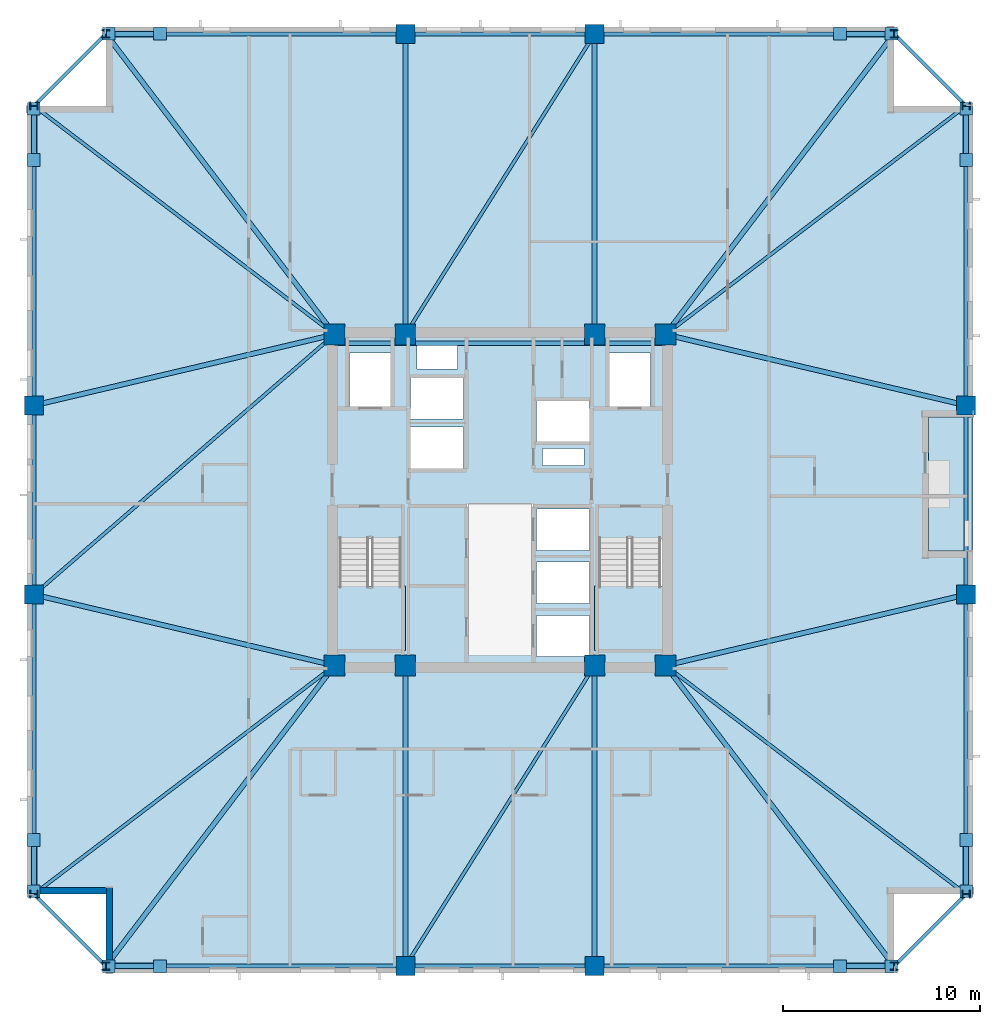
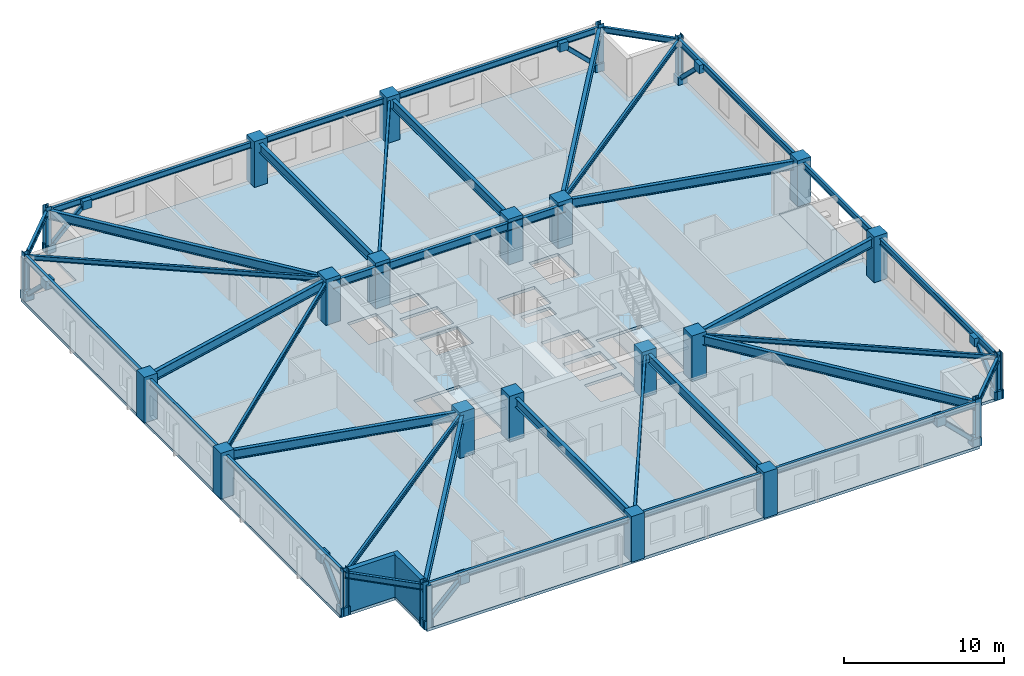
# One storey, part 1 of 11: 38 beams, 24 columns, 16 plates, 8 members, 4 slabs, 2 walls, 2 elements without a shape of their own.
"""IFC4 building model written with IfcOpenShell, lengths in metres."""

from ifc_helpers import new_model, si_unit, direction, frame, frame_2d, origin, origin_2d, place, context, subcontext, project, spatial, polyline, rectangle, hollow_rectangle, i_section, outline, extrude, material, layer, layer_set, material_profile, profile_set, type_object, element, aggregate, save


model = new_model("IFC4")

# Units and contexts
model_context = context("Model", 3, precision=1e-05, world=origin(), true_north=direction((0.0, 1.0)))
body_context = subcontext(model_context, "Body", "Model", "MODEL_VIEW")
ifc_project = project(units=[si_unit("LENGTHUNIT", "METRE"), si_unit("AREAUNIT", "SQUARE_METRE"), si_unit("VOLUMEUNIT", "CUBIC_METRE"), si_unit("PLANEANGLEUNIT", "RADIAN"), si_unit("MASSUNIT", "GRAM", prefix="KILO")], contexts=[model_context])

# Site, building, storey
site_placement = place(None, origin())
site = spatial("IfcSite", under=ifc_project, at=site_placement, CompositionType="ELEMENT")
building_placement = place(site_placement, origin())
building = spatial("IfcBuilding", under=site, at=building_placement, Name="Cairnveth Concourse Tower", CompositionType="ELEMENT")
storey_placement = place(building_placement, frame((0.0, 0.0, 190.0)))
storey = spatial("IfcBuildingStorey", under=building, at=storey_placement, Name="L52", CompositionType="ELEMENT", Elevation=190.0)

# Columns
ifc_material_1 = material(Name="Concrete N65 (65 MPa)", Category="concrete")
ifc_material_profile_1 = material_profile(ifc_material_1, rectangle(XDim=1.050048828125, YDim=1.050048828125, at=origin_2d()), Name="RC-COL-1050x1050")
ifc_profile_set_1 = profile_set([ifc_material_profile_1], Name="Concrete N65 (65 MPa)")
column_type_1 = type_object("IfcColumnType", Name="CORE COLUMN 1050X1050", PredefinedType="COLUMN", material=ifc_profile_set_1)
for number, where, z_axis, x_axis, name in (
    (1, (43.60009765625, 30.60009765625, 0.0), (0.0, 0.0, 1.0), (1.0, 0.0, 0.0), "Column CC1 L52"),
    (2, (47.199951171875, 30.60009765625, 0.0), (0.0, 0.0, 1.0), (1.0, 0.0, 0.0), "Column CC2 L52"),
    (3, (56.800048828125, 30.60009765625, 0.0), (0.0, 0.0, 1.0), (1.0, 0.0, 0.0), "Column CC3 L52"),
    (4, (60.39990234375, 30.60009765625, 0.0), (0.0, 0.0, 1.0), (1.0, 0.0, 0.0), "Column CC4 L52"),
    (5, (43.60009765625, 47.39990234375, 0.0), (0.0, 0.0, 1.0), (1.0, 0.0, 0.0), "Column CC5 L52"),
    (6, (47.199951171875, 47.39990234375, 0.0), (0.0, 0.0, 1.0), (1.0, 0.0, 0.0), "Column CC6 L52"),
    (7, (56.800048828125, 47.39990234375, 0.0), (0.0, 0.0, 1.0), (1.0, 0.0, 0.0), "Column CC7 L52"),
    (8, (60.39990234375, 47.39990234375, 0.0), (0.0, 0.0, 1.0), (1.0, 0.0, 0.0), "Column CC8 L52"),
):
    element("IfcColumn", number, at=place(storey_placement, frame(where, z_axis=z_axis, x_axis=x_axis)), inside=storey, type_object=column_type_1, Name=name, PredefinedType="COLUMN", context=body_context, shape_type="SweptSolid", body=[
        extrude(rectangle(XDim=1.050048828125, YDim=1.050048828125, at=origin_2d()), origin(), (0.0, 0.0, 1.0), 3.5),
    ])
ifc_material_profile_2 = material_profile(ifc_material_1, rectangle(XDim=0.949951171875, YDim=0.949951171875, at=origin_2d()), Name="RC-COL-950x950")
ifc_profile_set_2 = profile_set([ifc_material_profile_2], Name="Concrete N65 (65 MPa)")
column_type_2 = type_object("IfcColumnType", Name="PERIMETER PIER COLUMN 950X950", PredefinedType="COLUMN", material=ifc_profile_set_2)
for number, where, z_axis, x_axis, name in (
    (9, (47.199951171875, 15.35009765625, 0.0), (0.0, 0.0, 1.0), (1.0, 0.0, 0.0), "Column P-S2 L52"),
    (10, (56.800048828125, 15.35009765625, 0.0), (0.0, 0.0, 1.0), (1.0, 0.0, 0.0), "Column P-S3 L52"),
    (11, (75.64990234375, 34.199951171875, 0.0), (0.0, 0.0, 1.0), (0.0, 1.0, 0.0), "Column P-E2 L52"),
    (12, (75.64990234375, 43.800048828125, 0.0), (0.0, 0.0, 1.0), (0.0, 1.0, 0.0), "Column P-E3 L52"),
    (13, (56.800048828125, 62.64990234375, 0.0), (0.0, 0.0, 1.0), (1.0, 0.0, 0.0), "Column P-N2 L52"),
    (14, (47.199951171875, 62.64990234375, 0.0), (0.0, 0.0, 1.0), (1.0, 0.0, 0.0), "Column P-N3 L52"),
    (15, (28.35009765625, 43.800048828125, 0.0), (0.0, 0.0, 1.0), (0.0, 1.0, 0.0), "Column P-W2 L52"),
    (16, (28.35009765625, 34.199951171875, 0.0), (0.0, 0.0, 1.0), (0.0, 1.0, 0.0), "Column P-W3 L52"),
):
    element("IfcColumn", number, at=place(storey_placement, frame(where, z_axis=z_axis, x_axis=x_axis)), inside=storey, type_object=column_type_2, Name=name, PredefinedType="COLUMN", context=body_context, shape_type="SweptSolid", body=[
        extrude(rectangle(XDim=0.949951171875, YDim=0.949951171875, at=origin_2d()), origin(), (0.0, 0.0, 1.0), 3.5),
    ])
ifc_material_2 = material(Name="Steel Grade 350", Category="steel")
ifc_material_profile_3 = material_profile(ifc_material_2, i_section(OverallWidth=0.39990234375, OverallDepth=0.39990234375, WebThickness=0.02197265625, FlangeThickness=0.035888671875, at=origin_2d()), Name="400WC270")
ifc_profile_set_3 = profile_set([ifc_material_profile_3], Name="Steel Grade 350")
column_type_3 = type_object("IfcColumnType", Name="WELDED STEEL COLUMN 400WC270", PredefinedType="COLUMN", material=ifc_profile_set_3)
for number, where, z_axis, x_axis, name in (
    (17, (32.0, 15.35009765625, 0.0), (0.0, 0.0, 1.0), (1.0, 0.0, 0.0), "Column P-S1 L52"),
    (18, (72.0, 15.35009765625, 0.0), (0.0, 0.0, 1.0), (1.0, 0.0, 0.0), "Column P-S4 L52"),
    (19, (75.64990234375, 19.0, 0.0), (0.0, 0.0, 1.0), (0.0, 1.0, 0.0), "Column P-E1 L52"),
    (20, (75.64990234375, 59.0, 0.0), (0.0, 0.0, 1.0), (0.0, 1.0, 0.0), "Column P-E4 L52"),
    (21, (72.0, 62.64990234375, 0.0), (0.0, 0.0, 1.0), (1.0, 0.0, 0.0), "Column P-N1 L52"),
    (22, (32.0, 62.64990234375, 0.0), (0.0, 0.0, 1.0), (1.0, 0.0, 0.0), "Column P-N4 L52"),
    (23, (28.35009765625, 59.0, 0.0), (0.0, 0.0, 1.0), (0.0, 1.0, 0.0), "Column P-W1 L52"),
    (24, (28.35009765625, 19.0, 0.0), (0.0, 0.0, 1.0), (0.0, 1.0, 0.0), "Column P-W4 L52"),
):
    element("IfcColumn", number, at=place(storey_placement, frame(where, z_axis=z_axis, x_axis=x_axis)), inside=storey, type_object=column_type_3, Name=name, PredefinedType="COLUMN", context=body_context, shape_type="SweptSolid", body=[
        extrude(i_section(OverallWidth=0.39990234375, OverallDepth=0.39990234375, WebThickness=0.02197265625, FlangeThickness=0.035888671875, at=origin_2d()), origin(), (0.0, 0.0, 1.0), 3.5),
    ])

# Beams
ifc_material_profile_4 = material_profile(ifc_material_2, i_section(OverallWidth=0.22802734375, OverallDepth=0.60693359375, WebThickness=0.01123046875, FlangeThickness=0.017333984375, FilletRadius=0.013916015625, at=origin_2d()), Name="610UB113")
ifc_profile_set_4 = profile_set([ifc_material_profile_4], Name="Steel Grade 350")
beam_type_1 = type_object("IfcBeamType", Name="CORE TIE BEAM 610UB113", PredefinedType="T_BEAM", material=ifc_profile_set_4)
for number, where, z_axis, x_axis, name in (
    (25, (43.60009765625, 46.949951171875, 2.9365234375), (1.0, 0.0, 0.0), (0.0, 1.0, 0.0), "Beam CT-N1 L52"),
    (26, (56.800048828125, 46.949951171875, 2.9365234375), (1.0, 0.0, 0.0), (0.0, 1.0, 0.0), "Beam CT-N3 L52"),
):
    element("IfcBeam", number, at=place(storey_placement, frame(where, z_axis=z_axis, x_axis=x_axis)), inside=storey, type_object=beam_type_1, Name=name, PredefinedType="T_BEAM", context=body_context, shape_type="SweptSolid", body=[
        extrude(i_section(OverallWidth=0.22802734375, OverallDepth=0.60693359375, WebThickness=0.01123046875, FlangeThickness=0.017333984375, FilletRadius=0.013916015625, at=origin_2d()), origin(), (0.0, 0.0, 1.0), 3.599853515625),
    ])
beam_1_placement = place(storey_placement, frame((47.199951171875, 46.949951171875, 2.9365234375), z_axis=(1.0, 0.0, 0.0), x_axis=(0.0, 1.0, 0.0)))
element("IfcBeam", 27, at=beam_1_placement, inside=storey, type_object=beam_type_1, Name="Beam CT-N2 L52", PredefinedType="T_BEAM", context=body_context, shape_type="SweptSolid", body=[
    extrude(i_section(OverallWidth=0.22802734375, OverallDepth=0.60693359375, WebThickness=0.01123046875, FlangeThickness=0.017333984375, FilletRadius=0.013916015625, at=origin_2d()), origin(), (0.0, 0.0, 1.0), 9.60009765625),
])
ifc_material_profile_5 = material_profile(ifc_material_2, i_section(OverallWidth=0.172119140625, OverallDepth=0.35888671875, WebThickness=0.008056640625, FlangeThickness=0.012939453125, FilletRadius=0.010986328125, at=origin_2d()), Name="360UB56.7")
ifc_profile_set_5 = profile_set([ifc_material_profile_5], Name="Steel Grade 350")
beam_type_2 = type_object("IfcBeamType", Name="ZONE 2 FLOOR JOIST 360UB56.7", PredefinedType="JOIST", material=ifc_profile_set_5)
for number, where, z_axis, x_axis, name in (
    (28, (28.35009765625, 19.0, 3.060546875), (0.795908242904, 0.6054172684, 0.0), (-0.6054172684, 0.795908242904, 0.0), "Beam FJ-CSW2 L52"),
    (29, (75.64990234375, 19.0, 3.060546875), (-0.795908242904, 0.6054172684, 0.0), (-0.6054172684, -0.795908242904, 0.0), "Beam FJ-CSE2 L52"),
    (30, (75.64990234375, 59.0, 3.060546875), (-0.795908242904, -0.6054172684, 0.0), (0.6054172684, -0.795908242904, 0.0), "Beam FJ-CNE2 L52"),
    (31, (28.35009765625, 59.0, 3.060546875), (0.795908242904, -0.6054172684, 0.0), (0.6054172684, 0.795908242904, 0.0), "Beam FJ-CNW2 L52"),
):
    element("IfcBeam", number, at=place(storey_placement, frame(where, z_axis=z_axis, x_axis=x_axis)), inside=storey, type_object=beam_type_2, Name=name, PredefinedType="JOIST", context=body_context, shape_type="SweptSolid", body=[
        extrude(i_section(OverallWidth=0.172119140625, OverallDepth=0.35888671875, WebThickness=0.008056640625, FlangeThickness=0.012939453125, FilletRadius=0.010986328125, at=origin_2d()), origin(), (0.0, 0.0, 1.0), 19.160400390625),
    ])
for number, where, z_axis, x_axis, name in (
    (32, (47.199951171875, 15.35009765625, 3.060546875), (0.532743557037, 0.84627672923, 0.0), (-0.84627672923, 0.532743557037, 0.0), "Beam FJ-S-M1 L52"),
    (33, (47.199951171875, 47.39990234375, 3.060546875), (0.532743557037, 0.84627672923, 0.0), (-0.84627672923, 0.532743557037, 0.0), "Beam FJ-N-M1 L52"),
):
    element("IfcBeam", number, at=place(storey_placement, frame(where, z_axis=z_axis, x_axis=x_axis)), inside=storey, type_object=beam_type_2, Name=name, PredefinedType="JOIST", context=body_context, shape_type="SweptSolid", body=[
        extrude(i_section(OverallWidth=0.172119140625, OverallDepth=0.35888671875, WebThickness=0.008056640625, FlangeThickness=0.012939453125, FilletRadius=0.010986328125, at=origin_2d()), origin(), (0.0, 0.0, 1.0), 18.02001953125),
    ])
beam_2_placement = place(storey_placement, frame((28.35009765625, 34.199951171875, 3.060546875), z_axis=(0.756099107057, 0.654457134049, 0.0), x_axis=(-0.654457134049, 0.756099107057, 0.0)))
element("IfcBeam", 34, at=beam_2_placement, inside=storey, type_object=beam_type_2, Name="Beam FJ-W-M1 L52", PredefinedType="JOIST", context=body_context, shape_type="SweptSolid", body=[
    extrude(i_section(OverallWidth=0.172119140625, OverallDepth=0.35888671875, WebThickness=0.008056640625, FlangeThickness=0.012939453125, FilletRadius=0.010986328125, at=origin_2d()), origin(), (0.0, 0.0, 1.0), 20.16943359375),
])

# Members
ifc_material_3 = material(Name="Steel C350L0 (350 MPa)", Category="steel")
ifc_material_profile_6 = material_profile(ifc_material_3, hollow_rectangle(XDim=0.300048828125, YDim=0.300048828125, WallThickness=0.01611328125, InnerFilletRadius=0.01611328125, OuterFilletRadius=0.031982421875, at=origin_2d()), Name="300x300x16.0SHS")
ifc_profile_set_6 = profile_set([ifc_material_profile_6], Name="Steel C350L0 (350 MPa)")
member_type = type_object("IfcMemberType", Name="ZONE 2 PIER BRACE 300X300X16SHS", PredefinedType="BRACE", material=ifc_profile_set_6)
for number, where, z_axis, x_axis, name in (
    (35, (32.14990234375, 15.35009765625, 0.25), (0.715319960292, 0.0, 0.698797076702), (0.0, 1.0, 0.0), "Structural Brace PB-S1 L52"),
    (36, (71.85009765625, 15.35009765625, 0.25), (-0.715319960292, 0.0, 0.698797076702), (0.0, -1.0, 0.0), "Structural Brace PB-S2 L52"),
    (37, (32.14990234375, 62.64990234375, 0.25), (0.715319960292, 0.0, 0.698797076702), (0.0, 1.0, 0.0), "Structural Brace PB-N1 L52"),
    (38, (71.85009765625, 62.64990234375, 0.25), (-0.715319960292, 0.0, 0.698797076702), (0.0, -1.0, 0.0), "Structural Brace PB-N2 L52"),
    (39, (28.35009765625, 19.14990234375, 0.25), (0.0, 0.715319960292, 0.698797076702), (-1.0, 0.0, 0.0), "Structural Brace PB-W1 L52"),
    (40, (28.35009765625, 58.85009765625, 0.25), (0.0, -0.715319960292, 0.698797076702), (1.0, 0.0, 0.0), "Structural Brace PB-W2 L52"),
    (41, (75.64990234375, 19.14990234375, 0.25), (0.0, 0.715319960292, 0.698797076702), (-1.0, 0.0, 0.0), "Structural Brace PB-E1 L52"),
    (42, (75.64990234375, 58.85009765625, 0.25), (0.0, -0.715319960292, 0.698797076702), (1.0, 0.0, 0.0), "Structural Brace PB-E2 L52"),
):
    element("IfcMember", number, at=place(storey_placement, frame(where, z_axis=z_axis, x_axis=x_axis)), inside=storey, type_object=member_type, Name=name, PredefinedType="BRACE", context=body_context, shape_type="SweptSolid", body=[
        extrude(hollow_rectangle(XDim=0.300048828125, YDim=0.300048828125, WallThickness=0.01611328125, InnerFilletRadius=0.01611328125, OuterFilletRadius=0.031982421875, at=origin_2d()), origin(), (0.0, 0.0, 1.0), 3.634765625),
    ])

# Beams
ifc_material_profile_7 = material_profile(ifc_material_2, i_section(OverallWidth=0.25, OverallDepth=0.699951171875, WebThickness=0.011962890625, FlangeThickness=0.028076171875, at=origin_2d()), Name="700WB173")
ifc_profile_set_7 = profile_set([ifc_material_profile_7], Name="Steel Grade 350")
beam_type_3 = type_object("IfcBeamType", Name="ZONE 2 RADIAL GIRDER 700WB173", PredefinedType="BEAM", material=ifc_profile_set_7)
for number, where, z_axis, x_axis, name in (
    (43, (47.199951171875, 15.35009765625, 2.889892578125), (0.0, 1.0, 0.0), (-1.0, 0.0, 0.0), "Beam RG-S1 L52"),
    (44, (56.800048828125, 15.35009765625, 2.889892578125), (0.0, 1.0, 0.0), (-1.0, 0.0, 0.0), "Beam RG-S2 L52"),
    (45, (47.199951171875, 47.39990234375, 2.889892578125), (0.0, 1.0, 0.0), (-1.0, 0.0, 0.0), "Beam RG-N1 L52"),
    (46, (56.800048828125, 47.39990234375, 2.889892578125), (0.0, 1.0, 0.0), (-1.0, 0.0, 0.0), "Beam RG-N2 L52"),
):
    element("IfcBeam", number, at=place(storey_placement, frame(where, z_axis=z_axis, x_axis=x_axis)), inside=storey, type_object=beam_type_3, Name=name, PredefinedType="BEAM", context=body_context, shape_type="SweptSolid", body=[
        extrude(i_section(OverallWidth=0.25, OverallDepth=0.699951171875, WebThickness=0.011962890625, FlangeThickness=0.028076171875, at=origin_2d()), origin(), (0.0, 0.0, 1.0), 15.25),
    ])
for number, where, z_axis, x_axis, name in (
    (47, (28.35009765625, 34.199951171875, 2.889892578125), (0.973251602929, -0.229741849468, 0.0), (0.229741849468, 0.973251602929, 0.0), "Beam RG-W1 L52"),
    (48, (28.35009765625, 43.800048828125, 2.889892578125), (0.973251602929, 0.229741849468, 0.0), (-0.229741849468, 0.973251602929, 0.0), "Beam RG-W2 L52"),
    (49, (60.39990234375, 30.60009765625, 2.889892578125), (0.973251602929, 0.229741849468, 0.0), (-0.229741849468, 0.973251602929, 0.0), "Beam RG-E1 L52"),
    (50, (60.39990234375, 47.39990234375, 2.889892578125), (0.973251602929, -0.229741849468, 0.0), (0.229741849468, 0.973251602929, 0.0), "Beam RG-E2 L52"),
):
    element("IfcBeam", number, at=place(storey_placement, frame(where, z_axis=z_axis, x_axis=x_axis)), inside=storey, type_object=beam_type_3, Name=name, PredefinedType="BEAM", context=body_context, shape_type="SweptSolid", body=[
        extrude(i_section(OverallWidth=0.25, OverallDepth=0.699951171875, WebThickness=0.011962890625, FlangeThickness=0.028076171875, at=origin_2d()), origin(), (0.0, 0.0, 1.0), 15.669189453125),
    ])
for number, where, z_axis, x_axis, name in (
    (51, (32.0, 15.35009765625, 2.889892578125), (0.6054172684, 0.795908242904, 0.0), (-0.795908242904, 0.6054172684, 0.0), "Beam RG-CSW L52"),
    (52, (72.0, 15.35009765625, 2.889892578125), (-0.6054172684, 0.795908242904, 0.0), (-0.795908242904, -0.6054172684, 0.0), "Beam RG-CSE L52"),
    (53, (72.0, 62.64990234375, 2.889892578125), (-0.6054172684, -0.795908242904, 0.0), (0.795908242904, -0.6054172684, 0.0), "Beam RG-CNE L52"),
    (54, (32.0, 62.64990234375, 2.889892578125), (0.6054172684, -0.795908242904, 0.0), (0.795908242904, 0.6054172684, 0.0), "Beam RG-CNW L52"),
):
    element("IfcBeam", number, at=place(storey_placement, frame(where, z_axis=z_axis, x_axis=x_axis)), inside=storey, type_object=beam_type_3, Name=name, PredefinedType="BEAM", context=body_context, shape_type="SweptSolid", body=[
        extrude(i_section(OverallWidth=0.25, OverallDepth=0.699951171875, WebThickness=0.011962890625, FlangeThickness=0.028076171875, at=origin_2d()), origin(), (0.0, 0.0, 1.0), 19.160400390625),
    ])
ifc_material_profile_8 = material_profile(ifc_material_2, i_section(OverallWidth=0.18994140625, OverallDepth=0.45703125, WebThickness=0.009033203125, FlangeThickness=0.014404296875, FilletRadius=0.010986328125, at=origin_2d()), Name="460UB74.6")
ifc_profile_set_8 = profile_set([ifc_material_profile_8], Name="Steel Grade 350")
beam_type_4 = type_object("IfcBeamType", Name="ZONE 2 SPANDREL BEAM 460UB74.6", PredefinedType="SPANDREL", material=ifc_profile_set_8)
beam_3_placement = place(storey_placement, frame((32.0, 15.35009765625, 3.011474609375), z_axis=(1.0, 0.0, 0.0), x_axis=(0.0, 1.0, 0.0)))
element("IfcBeam", 55, at=beam_3_placement, inside=storey, type_object=beam_type_4, Name="Beam SP-S1 L52", PredefinedType="SPANDREL", context=body_context, shape_type="SweptSolid", body=[
    extrude(i_section(OverallWidth=0.18994140625, OverallDepth=0.45703125, WebThickness=0.009033203125, FlangeThickness=0.014404296875, FilletRadius=0.010986328125, at=origin_2d()), origin(), (0.0, 0.0, 1.0), 15.199951171875),
])
beam_4_placement = place(storey_placement, frame((47.199951171875, 15.35009765625, 3.011474609375), z_axis=(1.0, 0.0, 0.0), x_axis=(0.0, 1.0, 0.0)))
element("IfcBeam", 56, at=beam_4_placement, inside=storey, type_object=beam_type_4, Name="Beam SP-S2 L52", PredefinedType="SPANDREL", context=body_context, shape_type="SweptSolid", body=[
    extrude(i_section(OverallWidth=0.18994140625, OverallDepth=0.45703125, WebThickness=0.009033203125, FlangeThickness=0.014404296875, FilletRadius=0.010986328125, at=origin_2d()), origin(), (0.0, 0.0, 1.0), 9.60009765625),
])
for number, where, z_axis, x_axis, name in (
    (57, (56.800048828125, 15.35009765625, 3.011474609375), (1.0, 0.0, 0.0), (0.0, 1.0, 0.0), "Beam SP-S3 L52"),
    (58, (32.0, 62.64990234375, 3.011474609375), (1.0, 0.0, 0.0), (0.0, 1.0, 0.0), "Beam SP-N1 L52"),
):
    element("IfcBeam", number, at=place(storey_placement, frame(where, z_axis=z_axis, x_axis=x_axis)), inside=storey, type_object=beam_type_4, Name=name, PredefinedType="SPANDREL", context=body_context, shape_type="SweptSolid", body=[
        extrude(i_section(OverallWidth=0.18994140625, OverallDepth=0.45703125, WebThickness=0.009033203125, FlangeThickness=0.014404296875, FilletRadius=0.010986328125, at=origin_2d()), origin(), (0.0, 0.0, 1.0), 15.199951171875),
    ])
beam_5_placement = place(storey_placement, frame((47.199951171875, 62.64990234375, 3.011474609375), z_axis=(1.0, 0.0, 0.0), x_axis=(0.0, 1.0, 0.0)))
element("IfcBeam", 59, at=beam_5_placement, inside=storey, type_object=beam_type_4, Name="Beam SP-N2 L52", PredefinedType="SPANDREL", context=body_context, shape_type="SweptSolid", body=[
    extrude(i_section(OverallWidth=0.18994140625, OverallDepth=0.45703125, WebThickness=0.009033203125, FlangeThickness=0.014404296875, FilletRadius=0.010986328125, at=origin_2d()), origin(), (0.0, 0.0, 1.0), 9.60009765625),
])
for number, where, z_axis, x_axis, name in (
    (60, (56.800048828125, 62.64990234375, 3.011474609375), (1.0, 0.0, 0.0), (0.0, 1.0, 0.0), "Beam SP-N3 L52"),
    (61, (28.35009765625, 19.0, 3.011474609375), (0.0, 1.0, 0.0), (-1.0, 0.0, 0.0), "Beam SP-W1 L52"),
):
    element("IfcBeam", number, at=place(storey_placement, frame(where, z_axis=z_axis, x_axis=x_axis)), inside=storey, type_object=beam_type_4, Name=name, PredefinedType="SPANDREL", context=body_context, shape_type="SweptSolid", body=[
        extrude(i_section(OverallWidth=0.18994140625, OverallDepth=0.45703125, WebThickness=0.009033203125, FlangeThickness=0.014404296875, FilletRadius=0.010986328125, at=origin_2d()), origin(), (0.0, 0.0, 1.0), 15.199951171875),
    ])
beam_6_placement = place(storey_placement, frame((28.35009765625, 34.199951171875, 3.011474609375), z_axis=(0.0, 1.0, 0.0), x_axis=(-1.0, 0.0, 0.0)))
element("IfcBeam", 62, at=beam_6_placement, inside=storey, type_object=beam_type_4, Name="Beam SP-W2 L52", PredefinedType="SPANDREL", context=body_context, shape_type="SweptSolid", body=[
    extrude(i_section(OverallWidth=0.18994140625, OverallDepth=0.45703125, WebThickness=0.009033203125, FlangeThickness=0.014404296875, FilletRadius=0.010986328125, at=origin_2d()), origin(), (0.0, 0.0, 1.0), 9.60009765625),
])
for number, where, z_axis, x_axis, name in (
    (63, (28.35009765625, 43.800048828125, 3.011474609375), (0.0, 1.0, 0.0), (-1.0, 0.0, 0.0), "Beam SP-W3 L52"),
    (64, (75.64990234375, 19.0, 3.011474609375), (0.0, 1.0, 0.0), (-1.0, 0.0, 0.0), "Beam SP-E1 L52"),
):
    element("IfcBeam", number, at=place(storey_placement, frame(where, z_axis=z_axis, x_axis=x_axis)), inside=storey, type_object=beam_type_4, Name=name, PredefinedType="SPANDREL", context=body_context, shape_type="SweptSolid", body=[
        extrude(i_section(OverallWidth=0.18994140625, OverallDepth=0.45703125, WebThickness=0.009033203125, FlangeThickness=0.014404296875, FilletRadius=0.010986328125, at=origin_2d()), origin(), (0.0, 0.0, 1.0), 15.199951171875),
    ])
beam_7_placement = place(storey_placement, frame((75.64990234375, 34.199951171875, 3.011474609375), z_axis=(0.0, 1.0, 0.0), x_axis=(-1.0, 0.0, 0.0)))
element("IfcBeam", 65, at=beam_7_placement, inside=storey, type_object=beam_type_4, Name="Beam SP-E2 L52", PredefinedType="SPANDREL", context=body_context, shape_type="SweptSolid", body=[
    extrude(i_section(OverallWidth=0.18994140625, OverallDepth=0.45703125, WebThickness=0.009033203125, FlangeThickness=0.014404296875, FilletRadius=0.010986328125, at=origin_2d()), origin(), (0.0, 0.0, 1.0), 9.60009765625),
])
beam_8_placement = place(storey_placement, frame((75.64990234375, 43.800048828125, 3.011474609375), z_axis=(0.0, 1.0, 0.0), x_axis=(-1.0, 0.0, 0.0)))
element("IfcBeam", 66, at=beam_8_placement, inside=storey, type_object=beam_type_4, Name="Beam SP-E3 L52", PredefinedType="SPANDREL", context=body_context, shape_type="SweptSolid", body=[
    extrude(i_section(OverallWidth=0.18994140625, OverallDepth=0.45703125, WebThickness=0.009033203125, FlangeThickness=0.014404296875, FilletRadius=0.010986328125, at=origin_2d()), origin(), (0.0, 0.0, 1.0), 15.199951171875),
])
for number, where, z_axis, x_axis, name in (
    (67, (28.35009765625, 19.0, 3.011474609375), (0.707106781187, -0.707106781187, 0.0), (0.707106781187, 0.707106781187, 0.0), "Beam SP-SW L52"),
    (68, (72.0, 15.35009765625, 3.011474609375), (0.707106781187, 0.707106781187, 0.0), (-0.707106781187, 0.707106781187, 0.0), "Beam SP-SE L52"),
    (69, (72.0, 62.64990234375, 3.011474609375), (0.707106781187, -0.707106781187, 0.0), (0.707106781187, 0.707106781187, 0.0), "Beam SP-NE L52"),
    (70, (28.35009765625, 59.0, 3.011474609375), (0.707106781187, 0.707106781187, 0.0), (-0.707106781187, 0.707106781187, 0.0), "Beam SP-NW L52"),
):
    element("IfcBeam", number, at=place(storey_placement, frame(where, z_axis=z_axis, x_axis=x_axis)), inside=storey, type_object=beam_type_4, Name=name, PredefinedType="SPANDREL", context=body_context, shape_type="SweptSolid", body=[
        extrude(i_section(OverallWidth=0.18994140625, OverallDepth=0.45703125, WebThickness=0.009033203125, FlangeThickness=0.014404296875, FilletRadius=0.010986328125, at=origin_2d()), origin(), (0.0, 0.0, 1.0), 5.16162109375),
    ])

# Slab
ifc_material_4 = material(Name="Concrete N50 (50 MPa)", Category="concrete")
ifc_layer_1 = layer(ifc_material_4, 0.219970703125)
ifc_layer_set_1 = layer_set([ifc_layer_1], Name="Concrete N50 (50 MPa)")
slab_type_1 = type_object("IfcSlabType", Name="LOWER TOWER COMPOSITE SLAB 220", PredefinedType="FLOOR", material=ifc_layer_set_1)
slab_1_placement = place(storey_placement, frame((0.0, 0.0, -0.219970703125)))
element("IfcSlab", 71, at=slab_1_placement, inside=storey, type_object=slab_type_1, Name="Tower Floor Slab L52", PredefinedType="FLOOR", context=body_context, shape_type="SweptSolid", body=[
    extrude(outline(polyline([(76.0, 36.39990234375), (73.75, 36.39990234375), (73.75, 43.199951171875), (76.0, 43.199951171875), (76.0, 59.0), (72.0, 59.0), (72.0, 63.0), (32.0, 63.0), (32.0, 59.0), (28.0, 59.0), (28.0, 19.0), (32.0, 19.0), (32.0, 15.0), (72.0, 15.0), (72.0, 19.0), (76.0, 19.0), (76.0, 36.39990234375)]), holes=[polyline([(43.760009765625, 31.360107421875), (47.06005859375, 31.360107421875), (47.06005859375, 37.0400390625), (43.760009765625, 37.0400390625), (43.760009765625, 31.360107421875)]), polyline([(56.93994140625, 31.360107421875), (60.239990234375, 31.360107421875), (60.239990234375, 37.0400390625), (56.93994140625, 37.0400390625), (56.93994140625, 31.360107421875)]), polyline([(44.3701171875, 43.75), (46.469970703125, 43.75), (46.469970703125, 46.449951171875), (44.3701171875, 46.449951171875), (44.3701171875, 43.75)]), polyline([(57.530029296875, 43.75), (59.6298828125, 43.75), (59.6298828125, 46.449951171875), (57.530029296875, 46.449951171875), (57.530029296875, 43.75)]), polyline([(53.85009765625, 31.050048828125), (56.550048828125, 31.050048828125), (56.550048828125, 33.14990234375), (53.85009765625, 33.14990234375), (53.85009765625, 31.050048828125)]), polyline([(53.85009765625, 33.75), (56.550048828125, 33.75), (56.550048828125, 35.85009765625), (53.85009765625, 35.85009765625), (53.85009765625, 33.75)]), polyline([(53.85009765625, 36.449951171875), (56.550048828125, 36.449951171875), (56.550048828125, 38.550048828125), (53.85009765625, 38.550048828125), (53.85009765625, 36.449951171875)]), polyline([(47.449951171875, 40.60009765625), (50.14990234375, 40.60009765625), (50.14990234375, 42.699951171875), (47.449951171875, 42.699951171875), (47.449951171875, 40.60009765625)]), polyline([(47.449951171875, 43.10009765625), (50.14990234375, 43.10009765625), (50.14990234375, 45.199951171875), (47.449951171875, 45.199951171875), (47.449951171875, 43.10009765625)]), polyline([(53.85009765625, 41.949951171875), (56.550048828125, 41.949951171875), (56.550048828125, 44.050048828125), (53.85009765625, 44.050048828125), (53.85009765625, 41.949951171875)]), polyline([(47.800048828125, 45.64990234375), (49.85009765625, 45.64990234375), (49.85009765625, 47.050048828125), (47.800048828125, 47.050048828125), (47.800048828125, 45.64990234375)]), polyline([(54.14990234375, 40.75), (56.25, 40.75), (56.25, 41.6201171875), (54.14990234375, 41.6201171875), (54.14990234375, 40.75)])]), origin(), (0.0, 0.0, 1.0), 0.219970703125),
])

# Plates
ifc_layer_2 = layer(ifc_material_2, 0.031982421875)
ifc_layer_set_2 = layer_set([ifc_layer_2], Name="Steel Grade 350")
plate_type = type_object("IfcPlateType", Name="PERIMETER BRACE GUSSET PLATE 32", PredefinedType="USERDEFINED", material=ifc_layer_set_2)
for number, where, z_axis, x_axis, name in (
    (72, (32.14990234375, 15.35009765625, -0.06982421875), (0.0, 0.0, 1.0), (1.0, 0.0, 0.0), "Structural Node Plate 0865 L52"),
    (73, (34.75, 15.35009765625, 2.47021484375), (0.0, 0.0, 1.0), (1.0, 0.0, 0.0), "Structural Node Plate 0866 L52"),
    (74, (71.85009765625, 15.35009765625, -0.06982421875), (0.0, 0.0, 1.0), (1.0, 0.0, 0.0), "Structural Node Plate 0867 L52"),
    (75, (69.25, 15.35009765625, 2.47021484375), (0.0, 0.0, 1.0), (1.0, 0.0, 0.0), "Structural Node Plate 0868 L52"),
    (76, (32.14990234375, 62.64990234375, -0.06982421875), (0.0, 0.0, 1.0), (1.0, 0.0, 0.0), "Structural Node Plate 0869 L52"),
    (77, (34.75, 62.64990234375, 2.47021484375), (0.0, 0.0, 1.0), (1.0, 0.0, 0.0), "Structural Node Plate 0870 L52"),
    (78, (71.85009765625, 62.64990234375, -0.06982421875), (0.0, 0.0, 1.0), (1.0, 0.0, 0.0), "Structural Node Plate 0871 L52"),
    (79, (69.25, 62.64990234375, 2.47021484375), (0.0, 0.0, 1.0), (1.0, 0.0, 0.0), "Structural Node Plate 0872 L52"),
    (80, (28.35009765625, 19.14990234375, -0.06982421875), (0.0, 0.0, 1.0), (1.0, 0.0, 0.0), "Structural Node Plate 0873 L52"),
    (81, (28.35009765625, 21.75, 2.47021484375), (0.0, 0.0, 1.0), (1.0, 0.0, 0.0), "Structural Node Plate 0874 L52"),
    (82, (28.35009765625, 58.85009765625, -0.06982421875), (0.0, 0.0, 1.0), (1.0, 0.0, 0.0), "Structural Node Plate 0875 L52"),
    (83, (28.35009765625, 56.25, 2.47021484375), (0.0, 0.0, 1.0), (1.0, 0.0, 0.0), "Structural Node Plate 0876 L52"),
    (84, (75.64990234375, 19.14990234375, -0.06982421875), (0.0, 0.0, 1.0), (1.0, 0.0, 0.0), "Structural Node Plate 0877 L52"),
    (85, (75.64990234375, 21.75, 2.47021484375), (0.0, 0.0, 1.0), (1.0, 0.0, 0.0), "Structural Node Plate 0878 L52"),
    (86, (75.64990234375, 58.85009765625, -0.06982421875), (0.0, 0.0, 1.0), (1.0, 0.0, 0.0), "Structural Node Plate 0879 L52"),
    (87, (75.64990234375, 56.25, 2.47021484375), (0.0, 0.0, 1.0), (1.0, 0.0, 0.0), "Structural Node Plate 0880 L52"),
):
    element("IfcPlate", number, at=place(storey_placement, frame(where, z_axis=z_axis, x_axis=x_axis)), inside=storey, type_object=plate_type, Name=name, ObjectType="GUSSET PLATE", PredefinedType="USERDEFINED", context=body_context, shape_type="SweptSolid", body=[
        extrude(rectangle(XDim=0.639892578125, YDim=0.639892578125, at=origin_2d()), origin(), (0.0, 0.0, 1.0), 0.639892578125),
    ])

# Slab
ifc_layer_3 = layer(ifc_material_4, 0.18994140625)
ifc_layer_set_3 = layer_set([ifc_layer_3], Name="Concrete N50 (50 MPa)")
slab_type_2 = type_object("IfcSlabType", Name="SPIRAL OUTDOOR TERRACE SLAB 190", PredefinedType="FLOOR", material=ifc_layer_set_3)
slab_2_placement = place(storey_placement, frame((0.0, 0.0, -0.18994140625)))
element("IfcSlab", 88, at=slab_2_placement, inside=storey, type_object=slab_type_2, Name="Spiral Terrace Slab L52", PredefinedType="FLOOR", context=body_context, shape_type="SweptSolid", body=[
    extrude(outline(polyline([(73.75, 36.39990234375), (76.0, 36.39990234375), (76.0, 43.199951171875), (73.75, 43.199951171875), (73.75, 36.39990234375)])), origin(), (0.0, 0.0, 1.0), 0.18994140625),
])

# Stair, slab
ifc_material_5 = material(Name="Precast concrete N50 (50 MPa)", Category="concrete")
stair_type = type_object("IfcStairType", Name="CORE DOG-LEG FIRE STAIR 1500", PredefinedType="HALF_TURN_STAIR", material=ifc_material_5)
stair_1_placement = place(storey_placement, origin())
stair_1 = element("IfcStair", 89, at=stair_1_placement, inside=storey, type_object=stair_type, Name="L52 Fire-Isolated Stair ST-1", PredefinedType="HALF_TURN_STAIR")
ifc_layer_4 = layer(ifc_material_4, 0.199951171875)
ifc_layer_set_4 = layer_set([ifc_layer_4], Name="Concrete N50 (50 MPa)")
slab_type_3 = type_object("IfcSlabType", Name="STAIR HALF LANDING SLAB 200", PredefinedType="LANDING", material=ifc_layer_set_4)
slab_3_placement = place(storey_placement, frame((0.0, 0.0, 1.550048828125)))
slab_3 = element("IfcSlab", 90, at=slab_3_placement, type_object=slab_type_3, Name="ST-1 landing 1", PredefinedType="LANDING", context=body_context, shape_type="SweptSolid", body=[
    extrude(outline(polyline([(43.6201171875, 34.639892578125), (43.6201171875, 31.3701171875), (47.199951171875, 31.3701171875), (47.199951171875, 34.639892578125), (43.6201171875, 34.639892578125)])), origin(), (0.0, 0.0, 1.0), 0.199951171875),
])
aggregate(stair_1, [slab_3])

stair_2_placement = place(storey_placement, origin())
stair_2 = element("IfcStair", 91, at=stair_2_placement, inside=storey, type_object=stair_type, Name="L52 Fire-Isolated Stair ST-2", PredefinedType="HALF_TURN_STAIR")
slab_4_placement = place(storey_placement, frame((0.0, 0.0, 1.550048828125)))
slab_4 = element("IfcSlab", 92, at=slab_4_placement, type_object=slab_type_3, Name="ST-2 landing 1", PredefinedType="LANDING", context=body_context, shape_type="SweptSolid", body=[
    extrude(outline(polyline([(56.800048828125, 34.639892578125), (56.800048828125, 31.3701171875), (60.3798828125, 31.3701171875), (60.3798828125, 34.639892578125), (56.800048828125, 34.639892578125)])), origin(), (0.0, 0.0, 1.0), 0.199951171875),
])
aggregate(stair_2, [slab_4])

# Walls
ifc_material_6 = material(Name="Hawthorn Red-Ochre Fired Clay Brick Masonry", Category="masonry")
ifc_layer_5 = layer(ifc_material_6, 0.340087890625)
ifc_layer_set_5 = layer_set([ifc_layer_5], Name="Hawthorn Red-Ochre Fired Clay Brick Masonry")
wall_type = type_object("IfcWallType", Name="ZONE 2 BRICK PIER SPANDREL WALL 340", PredefinedType="SOLIDWALL", material=ifc_layer_set_5)
wall_1_placement = place(storey_placement, frame((32.169921875, 15.0, 0.0), z_axis=(0.0, 0.0, 1.0), x_axis=(0.0, 1.0, 0.0)))
element("IfcWall", 93, at=wall_1_placement, inside=storey, type_object=wall_type, Name="Exterior Wall EW-L52-S04", PredefinedType="SOLIDWALL", context=body_context, shape_type="SweptSolid", body=[
    extrude(rectangle(XDim=4.340087890625, YDim=0.340087890625, at=frame_2d((2.169921875, 0.0))), origin(), (0.0, 0.0, 1.0), 3.239990234375),
])
wall_2_placement = place(storey_placement, frame((32.02197265625, 19.169921875, 0.0), z_axis=(0.0, 0.0, 1.0), x_axis=(-1.0, 0.0, 0.0)))
element("IfcWall", 94, at=wall_2_placement, inside=storey, type_object=wall_type, Name="Exterior Wall EW-L52-S05", PredefinedType="SOLIDWALL", context=body_context, shape_type="SweptSolid", body=[
    extrude(rectangle(XDim=3.703857421875, YDim=0.340087890625, at=frame_2d((1.85205078125, 0.0))), origin(), (0.0, 0.0, 1.0), 3.239990234375),
])

save(model, "model.ifc")
